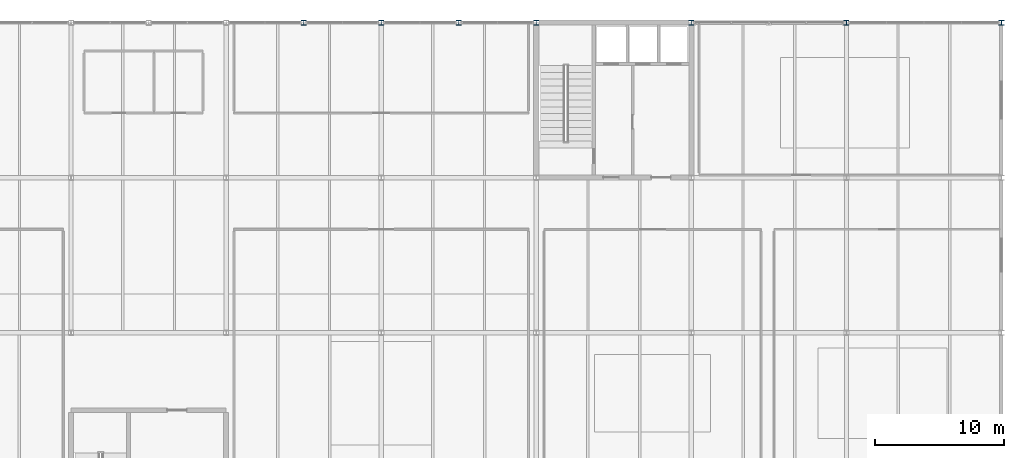
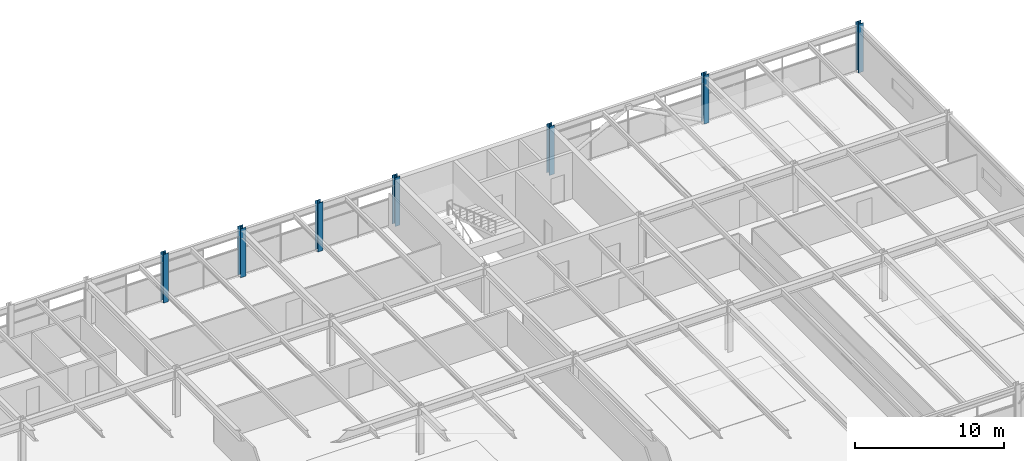
# One storey, part 6 of 51: 7 columns.
"""IFC4 building model written with IfcOpenShell, lengths in metres."""

from ifc_helpers import new_model, si_unit, direction, frame, origin, origin_2d, place, context, subcontext, project, spatial, i_section, extrude, material, material_profile, profile_set, type_object, element, save


model = new_model("IFC4")

# Units and contexts
model_context = context("Model", 3, precision=1e-05, world=origin(), true_north=direction((0.0, 1.0)))
body_context = subcontext(model_context, "Body", "Model", "MODEL_VIEW")
ifc_project = project(units=[si_unit("LENGTHUNIT", "METRE"), si_unit("AREAUNIT", "SQUARE_METRE"), si_unit("VOLUMEUNIT", "CUBIC_METRE"), si_unit("PLANEANGLEUNIT", "RADIAN"), si_unit("MASSUNIT", "GRAM", prefix="KILO")], contexts=[model_context])

# Site, building, storey
site_placement = place(None, origin())
site = spatial("IfcSite", under=ifc_project, at=site_placement, CompositionType="ELEMENT")
building_placement = place(site_placement, origin())
building = spatial("IfcBuilding", under=site, at=building_placement, Name="Girod Span Mobility Hub", CompositionType="ELEMENT")
storey_placement = place(building_placement, frame((0.0, 0.0, 41.60009765625)))
storey = spatial("IfcBuildingStorey", under=building, at=storey_placement, Name="L10", CompositionType="ELEMENT", Elevation=41.60009765625)

# Columns
ifc_material_1 = material(Name="Steel A992 Grade 50", Category="steel")
ifc_material_profile_1 = material_profile(ifc_material_1, i_section(OverallWidth=0.39404296875, OverallDepth=0.375, WebThickness=0.017333984375, FlangeThickness=0.027587890625, FilletRadius=0.01806640625, at=origin_2d()), Name="W14X145")
ifc_profile_set_1 = profile_set([ifc_material_profile_1], Name="Steel A992 Grade 50")
column_type_1 = type_object("IfcColumnType", Name="COL-STL-W14X145", PredefinedType="COLUMN", material=ifc_profile_set_1)
for number, where, z_axis, x_axis, name in (
    (1, (132.0, 69.0, 0.0), (0.0, 0.0, 1.0), (1.0, 0.0, 0.0), "Column 12F L10"),
    (2, (144.0, 69.0, 0.0), (0.0, 0.0, 1.0), (1.0, 0.0, 0.0), "Column 13F L10"),
    (3, (90.0, 69.0, 0.0), (0.0, 0.0, 1.0), (1.0, 0.0, 0.0), "Facade Intermediate Column INT-3 L10"),
    (4, (102.0, 69.0, 0.0), (0.0, 0.0, 1.0), (1.0, 0.0, 0.0), "Facade Intermediate Column INT-4 L10"),
):
    element("IfcColumn", number, at=place(storey_placement, frame(where, z_axis=z_axis, x_axis=x_axis)), inside=storey, type_object=column_type_1, Name=name, PredefinedType="COLUMN", context=body_context, shape_type="SweptSolid", body=[
        extrude(i_section(OverallWidth=0.39404296875, OverallDepth=0.375, WebThickness=0.017333984375, FlangeThickness=0.027587890625, FilletRadius=0.01806640625, at=origin_2d()), origin(), (0.0, 0.0, 1.0), 4.0),
    ])
ifc_material_2 = material(Name="Steel A992 Grade 50", Category="steel")
ifc_material_profile_2 = material_profile(ifc_material_2, i_section(OverallWidth=0.39892578125, OverallDepth=0.39306640625, WebThickness=0.022705078125, FlangeThickness=0.03662109375, FilletRadius=0.01806640625, at=origin_2d()), Name="W14X193")
ifc_profile_set_2 = profile_set([ifc_material_profile_2], Name="Steel A992 Grade 50")
column_type_2 = type_object("IfcColumnType", Name="COL-STL-W14X193", PredefinedType="COLUMN", material=ifc_profile_set_2)
for number, where, z_axis, x_axis, name in (
    (5, (96.0, 69.0, 0.0), (0.0, 0.0, 1.0), (1.0, 0.0, 0.0), "Column 9F L10"),
    (6, (108.0, 69.0, 0.0), (0.0, 0.0, 1.0), (1.0, 0.0, 0.0), "Column 10F L10"),
    (7, (120.0, 69.0, 0.0), (0.0, 0.0, 1.0), (1.0, 0.0, 0.0), "Column 11F L10"),
):
    element("IfcColumn", number, at=place(storey_placement, frame(where, z_axis=z_axis, x_axis=x_axis)), inside=storey, type_object=column_type_2, Name=name, PredefinedType="COLUMN", context=body_context, shape_type="SweptSolid", body=[
        extrude(i_section(OverallWidth=0.39892578125, OverallDepth=0.39306640625, WebThickness=0.022705078125, FlangeThickness=0.03662109375, FilletRadius=0.01806640625, at=origin_2d()), origin(), (0.0, 0.0, 1.0), 4.0),
    ])

save(model, "model.ifc")
